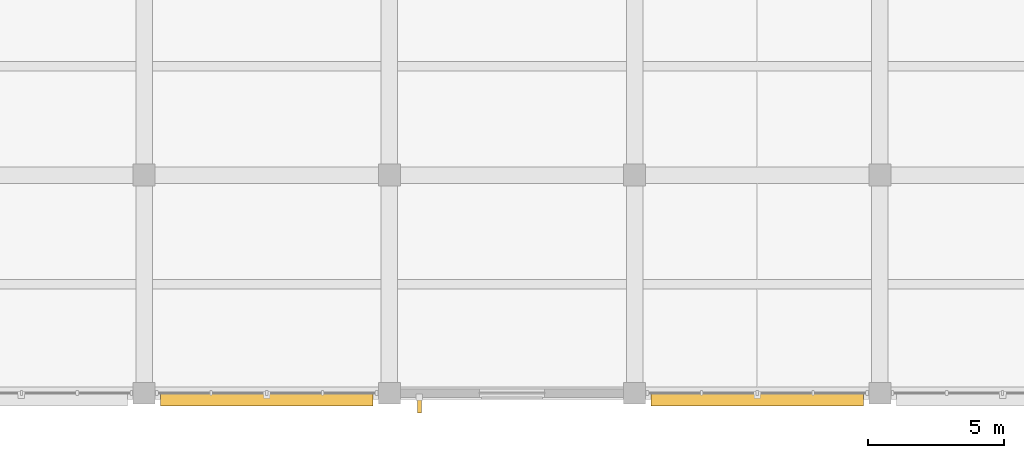
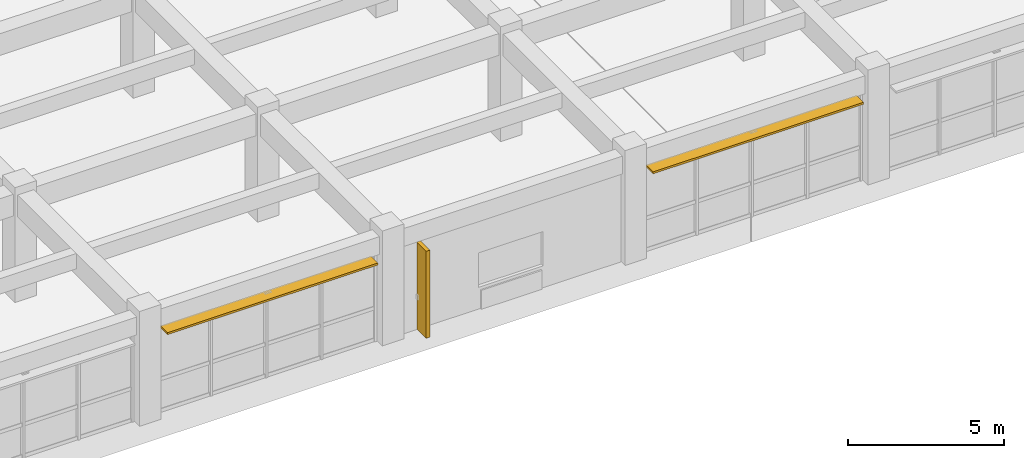
# One storey, part 44 of 50: 3 shading devices.
"""IFC4 building model written with IfcOpenShell, lengths in metres."""

import ifcopenshell
import ifcopenshell.guid

model = None  # the IFC model being written
_history = None  # IfcOwnerHistory: only IFC2X3 demands one
_inside = {}  # id of a spatial element -> (the spatial element, [elements in it])
_under = {}  # id of a project, library or spatial element -> (it, [spatial elements below it])
_declared = {}  # id of a project -> (the project, [libraries it declares])
_typed = {}  # id of a type object -> (the type object, [elements of that type])
_made_of = {}  # id of a material, layer set ... -> (it, [elements and type objects made of it])


def new_model(schema):
    """Start an empty IFC model of exactly this schema.

    Asked for "IFC4X3", IfcOpenShell would pick the latest addendum, in which some entities
    have other attributes; the version numbers below select the first issue.
    IFC2X3 requires an IfcOwnerHistory on every rooted entity: one is made here for all.
    """
    global model, _history
    if schema == "IFC4X3":
        model = ifcopenshell.file(schema_version=(4, 3, 0, 0))
    else:
        model = ifcopenshell.file(schema=schema)
    _inside.clear()
    _under.clear()
    _declared.clear()
    _typed.clear()
    _made_of.clear()
    _history = None
    if model.schema == "IFC2X3":
        org = make("IfcOrganization", Name="unknown")
        user = make(
            "IfcPersonAndOrganization",
            ThePerson=make("IfcPerson", FamilyName="unknown"),
            TheOrganization=org,
        )
        app = make(
            "IfcApplication",
            ApplicationDeveloper=org,
            Version="unknown",
            ApplicationFullName="unknown",
            ApplicationIdentifier="unknown",
        )
        _history = make(
            "IfcOwnerHistory",
            OwningUser=user,
            OwningApplication=app,
            ChangeAction="ADDED",
            CreationDate=0,
        )
    return model


def make(cls, **values):
    """One entity of the class cls with the attributes given. An attribute that is None is left unset."""
    return model.create_entity(
        cls, **{name: value for name, value in values.items() if value is not None}
    )


def rooted(cls, **values):
    """An entity with a GlobalId (a new one), such as an element, a storey or a relation."""
    return make(cls, GlobalId=ifcopenshell.guid.new(), OwnerHistory=_history, **values)


def si_unit(unit_type, name, prefix=None):
    """IfcSIUnit, for example si_unit("LENGTHUNIT", "METRE", prefix="MILLI")."""
    return make("IfcSIUnit", UnitType=unit_type, Prefix=prefix, Name=name)


def assignment(units):
    """IfcUnitAssignment: the units of a project."""
    return None if units is None else make("IfcUnitAssignment", Units=units)


def point(xyz):
    """IfcCartesianPoint."""
    return None if xyz is None else make("IfcCartesianPoint", Coordinates=xyz)


def direction(xyz):
    """IfcDirection."""
    return None if xyz is None else make("IfcDirection", DirectionRatios=xyz)


def frame(location, z_axis=None, x_axis=None):
    """IfcAxis2Placement3D, a coordinate frame: its origin and axes. An axis left out is left unset."""
    return make(
        "IfcAxis2Placement3D",
        Location=point(location),
        Axis=direction(z_axis),
        RefDirection=direction(x_axis),
    )


def frame_2d(location, x_axis=None):
    """IfcAxis2Placement2D, a coordinate frame in the plane: its origin and x axis."""
    return make(
        "IfcAxis2Placement2D", Location=point(location), RefDirection=direction(x_axis)
    )


def origin():
    """The frame at (0, 0, 0) with its axes left unset."""
    return frame((0.0, 0.0, 0.0))


def place(relative_to, where):
    """IfcLocalPlacement: puts the frame where relative to a parent placement (None: the world)."""
    return make(
        "IfcLocalPlacement", PlacementRelTo=relative_to, RelativePlacement=where
    )


def context(
    kind, dimensions, precision=None, world=None, true_north=None, identifier=None
):
    """IfcGeometricRepresentationContext, for example the 3D "Model" context."""
    return make(
        "IfcGeometricRepresentationContext",
        ContextIdentifier=identifier,
        ContextType=kind,
        CoordinateSpaceDimension=dimensions,
        Precision=precision,
        WorldCoordinateSystem=world,
        TrueNorth=true_north,
    )


def subcontext(parent, identifier, kind, view, scale=None):
    """IfcGeometricRepresentationSubContext, for example "Body" below "Model"."""
    return make(
        "IfcGeometricRepresentationSubContext",
        ContextIdentifier=identifier,
        ContextType=kind,
        ParentContext=parent,
        TargetScale=scale,
        TargetView=view,
    )


def project(units=None, contexts=None):
    """IfcProject with its units and contexts."""
    return rooted(
        "IfcProject",
        Name="project",
        RepresentationContexts=contexts,
        UnitsInContext=assignment(units),
    )


def spatial(cls, under=None, at=None, **own):
    """A site, building, storey or space (cls), placed at a placement, below another one or the project."""
    s = rooted(cls, ObjectPlacement=at, **own)
    if under is not None:
        _under.setdefault(under.id(), (under, []))[1].append(s)
    return s


def profile(cls, at=None, kind="AREA", **sizes):
    """A parametric profile (cls). Its sizes go by their IFC names, for example OverallWidth=200.0."""
    return make(cls, ProfileType=kind, Position=at, **sizes)


def rectangle(**sizes):
    """IfcRectangleProfileDef."""
    return profile("IfcRectangleProfileDef", **sizes)


def extrude(swept, where, along, depth):
    """IfcExtrudedAreaSolid: the profile swept, set in the frame where, extruded along a direction by depth."""
    return make(
        "IfcExtrudedAreaSolid",
        SweptArea=swept,
        Position=where,
        ExtrudedDirection=direction(along),
        Depth=depth,
    )


def shape(context_of_items, identifier, shape_type, items):
    """IfcShapeRepresentation: the items that make up one representation, for example the "Body"."""
    return make(
        "IfcShapeRepresentation",
        ContextOfItems=context_of_items,
        RepresentationIdentifier=identifier,
        RepresentationType=shape_type,
        Items=items,
    )


def material(Name=None, Category=None):
    """IfcMaterial."""
    return make("IfcMaterial", Name=Name, Category=Category)


def layer(
    of_material, thickness, ventilated=None, Name=None, Category=None, Priority=None
):
    """IfcMaterialLayer: one layer of a wall or slab, of a material (None: an air gap)."""
    return make(
        "IfcMaterialLayer",
        Material=of_material,
        LayerThickness=thickness,
        IsVentilated=ventilated,
        Name=Name,
        Category=Category,
        Priority=Priority,
    )


def layer_set(layers, Name=None):
    """IfcMaterialLayerSet."""
    return make("IfcMaterialLayerSet", MaterialLayers=layers, LayerSetName=Name)


def made_of(thing, what):
    """Note that an element or type object is made of a material, layer set ...; save() writes the relation."""
    if what is not None:
        _made_of.setdefault(what.id(), (what, []))[1].append(thing)
    return thing


def type_object(cls, material=None, **own):
    """A type object (cls), such as IfcWallType, which elements share."""
    return made_of(rooted(cls, **own), material)


def element(
    cls,
    number,
    at=None,
    inside=None,
    cuts=None,
    type_object=None,
    material=None,
    context=None,
    identifier="Body",
    shape_type=None,
    held_by="IfcProductDefinitionShape",
    body=None,
    shapes=None,
    **own,
):
    """One element of the class cls, such as IfcWall. Its Tag is "e" and its number.

    at: its placement. inside: the storey or other place that contains it. cuts: it is an
    opening in that element (IfcRelVoidsElement). A single representation is given by context,
    identifier, shape_type and body (its items); several are given by shapes. held_by: the class
    of the entity that holds the representations. save() writes the other relations.
    """
    e = rooted(cls, Tag="e%d" % number, ObjectPlacement=at, **own)
    if body is not None:
        shapes = [shape(context, identifier, shape_type, body)]
    if shapes is not None:
        e.Representation = make(held_by, Representations=shapes)
    if inside is not None:
        _inside.setdefault(inside.id(), (inside, []))[1].append(e)
    if cuts is not None:
        rooted(
            "IfcRelVoidsElement", RelatingBuildingElement=cuts, RelatedOpeningElement=e
        )
    if type_object is not None:
        _typed.setdefault(type_object.id(), (type_object, []))[1].append(e)
    return made_of(e, material)


def aggregate(whole, parts):
    """IfcRelAggregates: a whole, such as a stair, and the parts it consists of."""
    return rooted("IfcRelAggregates", RelatingObject=whole, RelatedObjects=parts)


def save(model, path):
    """Write the relations noted so far, then the file.

    IfcRelAggregates (storeys below a building ...), IfcRelContainedInSpatialStructure (elements
    in a storey), IfcRelDefinesByType, IfcRelAssociatesMaterial and IfcRelDeclares: one each for
    every whole, place, type object, material and project.
    """
    for whole, parts in _under.values():
        aggregate(whole, parts)
    for where, things in _inside.values():
        rooted(
            "IfcRelContainedInSpatialStructure",
            RelatedElements=things,
            RelatingStructure=where,
        )
    for kind, things in _typed.values():
        rooted("IfcRelDefinesByType", RelatedObjects=things, RelatingType=kind)
    for what, things in _made_of.values():
        rooted("IfcRelAssociatesMaterial", RelatedObjects=things, RelatingMaterial=what)
    for by, libraries in _declared.values():
        rooted("IfcRelDeclares", RelatingContext=by, RelatedDefinitions=libraries)
    model.write(path)


model = new_model("IFC4")

# Units and contexts
model_context = context("Model", 3, precision=1e-05, world=origin(), true_north=direction((0.0, 1.0)))
body_context = subcontext(model_context, "Body", "Model", "MODEL_VIEW")
ifc_project = project(units=[si_unit("LENGTHUNIT", "METRE"), si_unit("AREAUNIT", "SQUARE_METRE"), si_unit("VOLUMEUNIT", "CUBIC_METRE"), si_unit("PLANEANGLEUNIT", "RADIAN"), si_unit("MASSUNIT", "GRAM", prefix="KILO")], contexts=[model_context])

# Site, building, storey
site_placement = place(None, origin())
site = spatial("IfcSite", under=ifc_project, at=site_placement, CompositionType="ELEMENT")
building_placement = place(site_placement, origin())
building = spatial("IfcBuilding", under=site, at=building_placement, Name="Zaverband Oceanarium and Marine Research Institute", CompositionType="ELEMENT")
storey_placement = place(building_placement, frame((0.0, 0.0, 4.5)))
storey = spatial("IfcBuildingStorey", under=building, at=storey_placement, Name="L01", CompositionType="ELEMENT", Elevation=4.5)

# Shading devices
ifc_material_1 = material(Name="Concrete C40/50 precast brise-soleil", Category="concrete")
ifc_layer_1 = layer(ifc_material_1, 0.139892578125, Name="Concrete C40/50 precast brise-soleil")
ifc_layer_set_1 = layer_set([ifc_layer_1], Name="Concrete C40/50 precast brise-soleil")
shading_device_type_1 = type_object("IfcShadingDeviceType", Name="SHD-FIN-600", PredefinedType="JALOUSIE", material=ifc_layer_set_1)
shading_device_placement = place(storey_placement, frame((109.10498046875, -0.135009765625, 0.0), z_axis=(0.0, 0.0, 1.0), x_axis=(0.0, -1.0, 0.0)))
element("IfcShadingDevice", 1, at=shading_device_placement, inside=storey, type_object=shading_device_type_1, Name="600 mm vertical precast brise-soleil fin SHD-FIN-600", PredefinedType="JALOUSIE", context=body_context, shape_type="SweptSolid", body=[
    extrude(rectangle(XDim=0.60009765625, YDim=0.139892578125, at=frame_2d((0.300048828125, 0.0))), origin(), (0.0, 0.0, 1.0), 3.409912109375),
])
ifc_material_2 = material(Name="Anodized bronze marine-grade aluminium", Category="aluminium")
ifc_layer_2 = layer(ifc_material_2, 0.080078125, Name="Anodized bronze marine-grade aluminium")
ifc_layer_set_2 = layer_set([ifc_layer_2], Name="Anodized bronze marine-grade aluminium")
shading_device_type_2 = type_object("IfcShadingDeviceType", Name="SHD-LVR-450", PredefinedType="USERDEFINED", material=ifc_layer_set_2)
for number, where, z_axis, x_axis, name in (
    (2, (99.60498046875, -0.239990234375, 3.280029296875), (0.0, 0.0, 1.0), (1.0, 0.0, 0.0), "450 mm horizontal solar shading louvre SHD-LVR-450"),
    (3, (117.60498046875, -0.239990234375, 3.280029296875), (0.0, 0.0, 1.0), (1.0, 0.0, 0.0), "450 mm horizontal solar shading louvre SHD-LVR-450"),
):
    element("IfcShadingDevice", number, at=place(storey_placement, frame(where, z_axis=z_axis, x_axis=x_axis)), inside=storey, type_object=shading_device_type_2, Name=name, ObjectType="LOUVRE", PredefinedType="USERDEFINED", context=body_context, shape_type="SweptSolid", body=[
        extrude(rectangle(XDim=7.7900390625, YDim=0.449951171875, at=frame_2d((3.89501953125, 0.0))), origin(), (0.0, 0.0, 1.0), 0.080078125),
    ])

save(model, "model.ifc")
